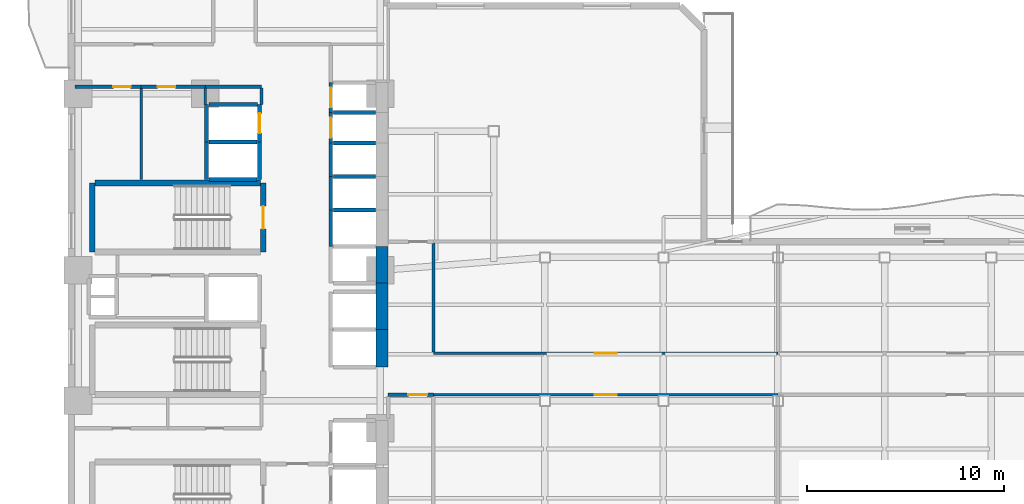
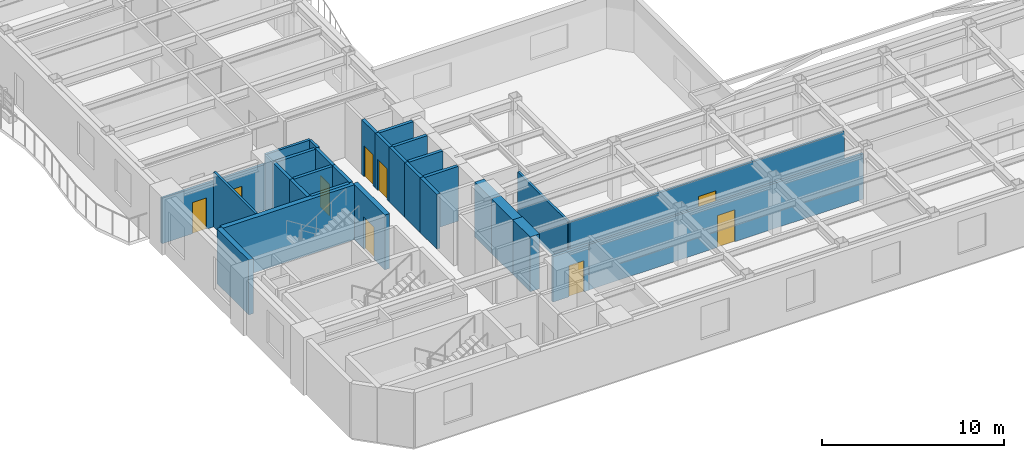
# One storey, part 4 of 10: 32 walls, 9 doors, 9 openings.
"""IFC4 building model written with IfcOpenShell, lengths in metres."""

from ifc_helpers import new_model, si_unit, direction, frame, frame_2d, origin, place, context, subcontext, project, spatial, rectangle, extrude, material, layer, layer_set, type_object, element, fill, save


model = new_model("IFC4")

# Units and contexts
model_context = context("Model", 3, precision=1e-05, world=origin(), true_north=direction((0.0, 1.0)))
body_context = subcontext(model_context, "Body", "Model", "MODEL_VIEW")
ifc_project = project(units=[si_unit("LENGTHUNIT", "METRE"), si_unit("AREAUNIT", "SQUARE_METRE"), si_unit("VOLUMEUNIT", "CUBIC_METRE"), si_unit("PLANEANGLEUNIT", "RADIAN"), si_unit("MASSUNIT", "GRAM", prefix="KILO")], contexts=[model_context])

# Site, building, storey
site_placement = place(None, origin())
site = spatial("IfcSite", under=ifc_project, at=site_placement, CompositionType="ELEMENT")
building_placement = place(site_placement, origin())
building = spatial("IfcBuilding", under=site, at=building_placement, Name="Mawjaban Terraces University", CompositionType="ELEMENT")
storey_placement = place(building_placement, frame((0.0, 0.0, 42.699951171875)))
storey = spatial("IfcBuildingStorey", under=building, at=storey_placement, Name="L09", CompositionType="ELEMENT", Elevation=42.699951171875)

# Wall, opening, door
ifc_material_1 = material(Name="Acoustic masonry blockwork", Category="masonry")
ifc_layer_1 = layer(ifc_material_1, 0.179931640625)
ifc_layer_set_1 = layer_set([ifc_layer_1], Name="Acoustic masonry blockwork")
wall_type_1 = type_object("IfcWallType", Name="AcousticStudioWall_180", PredefinedType="PARTITIONING", material=ifc_layer_set_1)
wall_1_placement = place(storey_placement, frame((38.050048828125, 8.25, 0.0), z_axis=(0.0, 0.0, 1.0), x_axis=(1.0, 0.0, 0.0)))
wall_1 = element("IfcWall", 1, at=wall_1_placement, inside=storey, type_object=wall_type_1, Name="L09 East Academic Corridor Vestibule Partition 19", PredefinedType="PARTITIONING", context=body_context, shape_type="SweptSolid", body=[
    extrude(rectangle(XDim=2.300048828125, YDim=0.179931640625, at=frame_2d((1.14990234375, 0.0))), origin(), (0.0, 0.0, 1.0), 3.054931640625),
])
opening_1_placement = place(wall_1_placement, frame((1.02490234375, 0.0, 0.0)))
opening_1 = element("IfcOpeningElement", 2, at=opening_1_placement, cuts=wall_1, Name="Opening ID-095", PredefinedType="OPENING", context=body_context, shape_type="SweptSolid", body=[
    extrude(rectangle(XDim=0.949951171875, YDim=2.10009765625, at=frame_2d((0.47509765625, 1.050048828125))), frame((0.0, 0.099853515625, 0.0), z_axis=(0.0, -1.0, 0.0), x_axis=(1.0, 0.0, 0.0)), (0.0, 0.0, 1.0), 0.199951171875),
])
ifc_material_2 = material(Name="Powder-coated steel frame and solid acoustic timber leaf", Category="steel")
door_type_1 = type_object("IfcDoorType", Name="StudioDoor_950x2100", OperationType="NOTDEFINED", PredefinedType="DOOR", material=ifc_material_2)
door_1_placement = place(opening_1_placement, origin())
door_1 = element("IfcDoor", 3, at=door_1_placement, inside=storey, type_object=door_type_1, Name="L09 Design Studio 1 Door", OperationType="SINGLE_SWING_LEFT", OverallHeight=2.10009765625, OverallWidth=0.949951171875, PredefinedType="DOOR", context=body_context, shape_type="SweptSolid", body=[
    extrude(rectangle(XDim=0.949951171875, YDim=2.10009765625, at=frame_2d((0.47509765625, 1.050048828125))), frame((0.0, 0.02490234375, 0.0), z_axis=(0.0, -1.0, 0.0), x_axis=(1.0, 0.0, 0.0)), (0.0, 0.0, 1.0), 0.050048828125),
])
fill(opening_1, door_1)

# Walls
ifc_material_3 = material(Name="Concrete C70/85", Category="concrete")
ifc_layer_2 = layer(ifc_material_3, 0.60009765625)
ifc_layer_set_2 = layer_set([ifc_layer_2], Name="Concrete C70/85")
wall_type_2 = type_object("IfcWallType", Name="CoreShearWall_600", PredefinedType="SHEAR", material=ifc_layer_set_2)
wall_2_placement = place(storey_placement, frame((37.75, 9.64990234375, 0.0), z_axis=(0.0, 0.0, 1.0), x_axis=(0.0, 1.0, 0.0)))
element("IfcWall", 4, at=wall_2_placement, inside=storey, type_object=wall_type_2, Name="L09 Lift PL-H1 Hoistway Wall East", PredefinedType="SHEAR", context=body_context, shape_type="SweptSolid", body=[
    extrude(rectangle(XDim=1.900146484375, YDim=0.60009765625, at=frame_2d((0.9501953125, 0.0))), origin(), (0.0, 0.0, 1.0), 3.68994140625),
])
wall_3_placement = place(storey_placement, frame((37.75, 11.550048828125, 0.0), z_axis=(0.0, 0.0, 1.0), x_axis=(0.0, 1.0, 0.0)))
element("IfcWall", 5, at=wall_3_placement, inside=storey, type_object=wall_type_2, Name="L09 Lift PL-H2 Hoistway Wall East", PredefinedType="SHEAR", context=body_context, shape_type="SweptSolid", body=[
    extrude(rectangle(XDim=2.349853515625, YDim=0.60009765625, at=frame_2d((1.1748046875, 0.0))), origin(), (0.0, 0.0, 1.0), 3.68994140625),
])
wall_4_placement = place(storey_placement, frame((37.75, 13.89990234375, 0.0), z_axis=(0.0, 0.0, 1.0), x_axis=(0.0, 1.0, 0.0)))
element("IfcWall", 6, at=wall_4_placement, inside=storey, type_object=wall_type_2, Name="L09 Lift OL-1 Hoistway Wall East", PredefinedType="SHEAR", context=body_context, shape_type="SweptSolid", body=[
    extrude(rectangle(XDim=1.85009765625, YDim=0.60009765625, at=frame_2d((0.925048828125, 0.0))), origin(), (0.0, 0.0, 1.0), 3.68994140625),
])

# Wall, opening, door
ifc_material_4 = material(Name="Fire-rated gypsum board on steel stud", Category="steel")
ifc_layer_3 = layer(ifc_material_4, 0.159912109375)
ifc_layer_set_3 = layer_set([ifc_layer_3], Name="Fire-rated gypsum board on steel stud")
wall_type_3 = type_object("IfcWallType", Name="CorridorPartition_160", PredefinedType="PARTITIONING", material=ifc_layer_set_3)
wall_5_placement = place(storey_placement, frame((25.550048828125, 23.85009765625, 0.0), z_axis=(0.0, 0.0, 1.0), x_axis=(-1.0, 0.0, 0.0)))
wall_5 = element("IfcWall", 7, at=wall_5_placement, inside=storey, type_object=wall_type_3, Name="L09 Female Toilet Partition 3", PredefinedType="PARTITIONING", context=body_context, shape_type="SweptSolid", body=[
    extrude(rectangle(XDim=3.35009765625, YDim=0.159912109375, at=frame_2d((1.675048828125, 0.0))), origin(), (0.0, 0.0, 1.0), 3.054931640625),
])
opening_2_placement = place(wall_5_placement, frame((0.534912109375, 0.0, 0.0)))
opening_2 = element("IfcOpeningElement", 8, at=opening_2_placement, cuts=wall_5, Name="Opening ID-088", PredefinedType="OPENING", context=body_context, shape_type="SweptSolid", body=[
    extrude(rectangle(XDim=0.8798828125, YDim=2.10009765625, at=frame_2d((0.43994140625, 1.050048828125))), frame((0.0, 0.08984375, 0.0), z_axis=(0.0, -1.0, 0.0), x_axis=(1.0, 0.0, 0.0)), (0.0, 0.0, 1.0), 0.179931640625),
])
door_type_2 = type_object("IfcDoorType", Name="ToiletDoor_880x2100", OperationType="NOTDEFINED", PredefinedType="DOOR", material=ifc_material_2)
door_2_placement = place(opening_2_placement, origin())
door_2 = element("IfcDoor", 9, at=door_2_placement, inside=storey, type_object=door_type_2, Name="L09 Female Toilet Door", OperationType="SINGLE_SWING_LEFT", OverallHeight=2.10009765625, OverallWidth=0.8798828125, PredefinedType="DOOR", context=body_context, shape_type="SweptSolid", body=[
    extrude(rectangle(XDim=0.8798828125, YDim=2.10009765625, at=frame_2d((0.43994140625, 1.050048828125))), frame((0.0, 0.02490234375, 0.0), z_axis=(0.0, -1.0, 0.0), x_axis=(1.0, 0.0, 0.0)), (0.0, 0.0, 1.0), 0.050048828125),
])
fill(opening_2, door_2)

wall_6_placement = place(storey_placement, frame((28.800048828125, 23.85009765625, 0.0), z_axis=(0.0, 0.0, 1.0), x_axis=(-1.0, 0.0, 0.0)))
wall_6 = element("IfcWall", 10, at=wall_6_placement, inside=storey, type_object=wall_type_3, Name="L09 Staff Tea Pantry Partition 5", PredefinedType="PARTITIONING", context=body_context, shape_type="SweptSolid", body=[
    extrude(rectangle(XDim=3.25, YDim=0.159912109375, at=frame_2d((1.625, 0.0))), origin(), (0.0, 0.0, 1.0), 3.054931640625),
])
opening_3_placement = place(wall_6_placement, frame((1.52490234375, 0.0, 0.0)))
opening_3 = element("IfcOpeningElement", 11, at=opening_3_placement, cuts=wall_6, Name="Opening ID-090", PredefinedType="OPENING", context=body_context, shape_type="SweptSolid", body=[
    extrude(rectangle(XDim=0.89990234375, YDim=2.10009765625, at=frame_2d((0.449951171875, 1.050048828125))), frame((0.0, 0.08984375, 0.0), z_axis=(0.0, -1.0, 0.0), x_axis=(1.0, 0.0, 0.0)), (0.0, 0.0, 1.0), 0.179931640625),
])
door_type_3 = type_object("IfcDoorType", Name="OfficeDoor_900x2100", OperationType="NOTDEFINED", PredefinedType="DOOR", material=ifc_material_2)
door_3_placement = place(opening_3_placement, origin())
door_3 = element("IfcDoor", 12, at=door_3_placement, inside=storey, type_object=door_type_3, Name="L09 Staff Tea Pantry Door", OperationType="SINGLE_SWING_RIGHT", OverallHeight=2.10009765625, OverallWidth=0.89990234375, PredefinedType="DOOR", context=body_context, shape_type="SweptSolid", body=[
    extrude(rectangle(XDim=0.89990234375, YDim=2.10009765625, at=frame_2d((0.449951171875, 1.050048828125))), frame((0.0, 0.02490234375, 0.0), z_axis=(0.0, -1.0, 0.0), x_axis=(1.0, 0.0, 0.0)), (0.0, 0.0, 1.0), 0.050048828125),
])
fill(opening_3, door_3)

# Walls
wall_7_placement = place(storey_placement, frame((28.800048828125, 23.85009765625, 0.0), z_axis=(0.0, 0.0, 1.0), x_axis=(1.0, 0.0, 0.0)))
element("IfcWall", 13, at=wall_7_placement, inside=storey, type_object=wall_type_3, Name="L09 North Core Cross-Corridor Partition 6", PredefinedType="PARTITIONING", context=body_context, shape_type="SweptSolid", body=[
    extrude(rectangle(XDim=2.849853515625, YDim=0.159912109375, at=frame_2d((1.4248046875, 0.0))), origin(), (0.0, 0.0, 1.0), 3.68994140625),
])
wall_8_placement = place(storey_placement, frame((31.64990234375, 23.77490234375, 0.0), z_axis=(0.0, 0.0, 1.0), x_axis=(0.0, -1.0, 0.0)))
element("IfcWall", 14, at=wall_8_placement, inside=storey, type_object=wall_type_3, Name="L09 Passenger Lift Lobby Partition 39", PredefinedType="PARTITIONING", context=body_context, shape_type="SweptSolid", body=[
    extrude(rectangle(XDim=0.824951171875, YDim=0.159912109375, at=frame_2d((0.41259765625, 0.0))), origin(), (0.0, 0.0, 1.0), 3.68994140625),
])
ifc_material_5 = material(Name="Concrete C40/50", Category="concrete")
ifc_layer_4 = layer(ifc_material_5, 0.199951171875)
ifc_layer_set_4 = layer_set([ifc_layer_4], Name="Concrete C40/50")
wall_type_4 = type_object("IfcWallType", Name="FireLobbyWall_200", PredefinedType="SOLIDWALL", material=ifc_layer_set_4)
wall_9_placement = place(storey_placement, frame((35.14990234375, 17.60009765625, 0.0), z_axis=(0.0, 0.0, 1.0), x_axis=(0.0, -1.0, 0.0)))
element("IfcWall", 15, at=wall_9_placement, inside=storey, type_object=wall_type_4, Name="L09 Lift OL-2 Hoistway Wall West", PredefinedType="SOLIDWALL", context=body_context, shape_type="SweptSolid", body=[
    extrude(rectangle(XDim=1.85009765625, YDim=0.199951171875, at=frame_2d((0.925048828125, 0.0))), origin(), (0.0, 0.0, 1.0), 3.68994140625),
])
wall_10_placement = place(storey_placement, frame((37.419921875, 17.60009765625, 0.0), z_axis=(0.0, 0.0, 1.0), x_axis=(-1.0, 0.0, 0.0)))
element("IfcWall", 16, at=wall_10_placement, inside=storey, type_object=wall_type_4, Name="L09 Lift OL-2 Hoistway Wall North", PredefinedType="SOLIDWALL", context=body_context, shape_type="SweptSolid", body=[
    extrude(rectangle(XDim=2.139892578125, YDim=0.199951171875, at=frame_2d((1.06982421875, 0.0))), origin(), (0.0, 0.0, 1.0), 3.68994140625),
])
wall_11_placement = place(storey_placement, frame((35.14990234375, 19.300048828125, 0.0), z_axis=(0.0, 0.0, 1.0), x_axis=(0.0, -1.0, 0.0)))
element("IfcWall", 17, at=wall_11_placement, inside=storey, type_object=wall_type_4, Name="L09 Lift PL-M1 Hoistway Wall West", PredefinedType="SOLIDWALL", context=body_context, shape_type="SweptSolid", body=[
    extrude(rectangle(XDim=1.699951171875, YDim=0.199951171875, at=frame_2d((0.85009765625, 0.0))), origin(), (0.0, 0.0, 1.0), 3.68994140625),
])
wall_12_placement = place(storey_placement, frame((37.419921875, 19.300048828125, 0.0), z_axis=(0.0, 0.0, 1.0), x_axis=(-1.0, 0.0, 0.0)))
element("IfcWall", 18, at=wall_12_placement, inside=storey, type_object=wall_type_4, Name="L09 Lift PL-M1 Hoistway Wall North", PredefinedType="SOLIDWALL", context=body_context, shape_type="SweptSolid", body=[
    extrude(rectangle(XDim=2.139892578125, YDim=0.199951171875, at=frame_2d((1.06982421875, 0.0))), origin(), (0.0, 0.0, 1.0), 3.68994140625),
])
wall_13_placement = place(storey_placement, frame((35.14990234375, 21.0, 0.0), z_axis=(0.0, 0.0, 1.0), x_axis=(0.0, -1.0, 0.0)))
element("IfcWall", 19, at=wall_13_placement, inside=storey, type_object=wall_type_4, Name="L09 Lift PL-M2 Hoistway Wall West", PredefinedType="SOLIDWALL", context=body_context, shape_type="SweptSolid", body=[
    extrude(rectangle(XDim=1.699951171875, YDim=0.199951171875, at=frame_2d((0.85009765625, 0.0))), origin(), (0.0, 0.0, 1.0), 3.68994140625),
])
wall_14_placement = place(storey_placement, frame((37.419921875, 21.0, 0.0), z_axis=(0.0, 0.0, 1.0), x_axis=(-1.0, 0.0, 0.0)))
element("IfcWall", 20, at=wall_14_placement, inside=storey, type_object=wall_type_4, Name="L09 Lift PL-M2 Hoistway Wall North", PredefinedType="SOLIDWALL", context=body_context, shape_type="SweptSolid", body=[
    extrude(rectangle(XDim=2.139892578125, YDim=0.199951171875, at=frame_2d((1.06982421875, 0.0))), origin(), (0.0, 0.0, 1.0), 3.68994140625),
])
for number, where, z_axis, x_axis, name in (
    (21, (28.85009765625, 21.050048828125, 0.0), (0.0, 0.0, 1.0), (0.0, -1.0, 0.0), "L09 Lift PL-M3 Hoistway Wall West"),
    (22, (31.550048828125, 19.14990234375, 0.0), (0.0, 0.0, 1.0), (0.0, 1.0, 0.0), "L09 Lift PL-M3 Hoistway Wall East"),
):
    element("IfcWall", number, at=place(storey_placement, frame(where, z_axis=z_axis, x_axis=x_axis)), inside=storey, type_object=wall_type_4, Name=name, PredefinedType="SOLIDWALL", context=body_context, shape_type="SweptSolid", body=[
        extrude(rectangle(XDim=1.900146484375, YDim=0.199951171875, at=frame_2d((0.9501953125, 0.0))), origin(), (0.0, 0.0, 1.0), 3.68994140625),
    ])
for number, where, z_axis, x_axis, name in (
    (23, (28.97998046875, 19.14990234375, 0.0), (0.0, 0.0, 1.0), (1.0, 0.0, 0.0), "L09 Lift PL-M3 Hoistway Wall South"),
    (24, (31.419921875, 21.050048828125, 0.0), (0.0, 0.0, 1.0), (-1.0, 0.0, 0.0), "L09 Lift PL-M3 Hoistway Wall North"),
):
    element("IfcWall", number, at=place(storey_placement, frame(where, z_axis=z_axis, x_axis=x_axis)), inside=storey, type_object=wall_type_4, Name=name, PredefinedType="SOLIDWALL", context=body_context, shape_type="SweptSolid", body=[
        extrude(rectangle(XDim=2.43994140625, YDim=0.199951171875, at=frame_2d((1.219970703125, 0.0))), origin(), (0.0, 0.0, 1.0), 3.68994140625),
    ])

# Wall, opening, door
wall_15_placement = place(storey_placement, frame((35.14990234375, 22.550048828125, 0.0), z_axis=(0.0, 0.0, 1.0), x_axis=(0.0, -1.0, 0.0)))
wall_15 = element("IfcWall", 25, at=wall_15_placement, inside=storey, type_object=wall_type_4, Name="L09 Lift PL-L1 Hoistway Wall West", PredefinedType="SOLIDWALL", context=body_context, shape_type="SweptSolid", body=[
    extrude(rectangle(XDim=1.550048828125, YDim=0.199951171875, at=frame_2d((0.77490234375, 0.0))), origin(), (0.0, 0.0, 1.0), 3.68994140625),
])
opening_4_placement = place(wall_15_placement, frame((0.27490234375, 0.0, 0.0)))
opening_4 = element("IfcOpeningElement", 26, at=opening_4_placement, cuts=wall_15, Name="Opening LD-PL-L1", PredefinedType="OPENING", context=body_context, shape_type="SweptSolid", body=[
    extrude(rectangle(XDim=1.0, YDim=2.10009765625, at=frame_2d((0.5, 1.050048828125))), frame((0.0, 0.10986328125, 0.0), z_axis=(0.0, -1.0, 0.0), x_axis=(1.0, 0.0, 0.0)), (0.0, 0.0, 1.0), 0.219970703125),
])
ifc_material_6 = material(Name="Powder-coated steel frame and fire-rated steel-faced leaf", Category="steel")
door_type_4 = type_object("IfcDoorType", Name="LiftLandingSliding_1000x2100", OperationType="NOTDEFINED", PredefinedType="DOOR", material=ifc_material_6)
door_4_placement = place(opening_4_placement, origin())
door_4 = element("IfcDoor", 27, at=door_4_placement, inside=storey, type_object=door_type_4, Name="L09 Lift PL-L1 Sliding Landing Door", OperationType="DOUBLE_DOOR_SLIDING", OverallHeight=2.10009765625, OverallWidth=1.0, PredefinedType="DOOR", context=body_context, shape_type="SweptSolid", body=[
    extrude(rectangle(XDim=1.0, YDim=2.10009765625, at=frame_2d((0.5, 1.050048828125))), frame((0.0, 0.02490234375, 0.0), z_axis=(0.0, -1.0, 0.0), x_axis=(1.0, 0.0, 0.0)), (0.0, 0.0, 1.0), 0.050048828125),
])
fill(opening_4, door_4)

# Wall
wall_16_placement = place(storey_placement, frame((37.419921875, 22.550048828125, 0.0), z_axis=(0.0, 0.0, 1.0), x_axis=(-1.0, 0.0, 0.0)))
element("IfcWall", 28, at=wall_16_placement, inside=storey, type_object=wall_type_4, Name="L09 Lift PL-L1 Hoistway Wall North", PredefinedType="SOLIDWALL", context=body_context, shape_type="SweptSolid", body=[
    extrude(rectangle(XDim=2.139892578125, YDim=0.199951171875, at=frame_2d((1.06982421875, 0.0))), origin(), (0.0, 0.0, 1.0), 3.68994140625),
])

# Wall, opening, door
wall_17_placement = place(storey_placement, frame((35.14990234375, 24.050048828125, 0.0), z_axis=(0.0, 0.0, 1.0), x_axis=(0.0, -1.0, 0.0)))
wall_17 = element("IfcWall", 29, at=wall_17_placement, inside=storey, type_object=wall_type_4, Name="L09 Lift PL-L2 Hoistway Wall West", PredefinedType="SOLIDWALL", context=body_context, shape_type="SweptSolid", body=[
    extrude(rectangle(XDim=1.5, YDim=0.199951171875, at=frame_2d((0.75, 0.0))), origin(), (0.0, 0.0, 1.0), 3.68994140625),
])
opening_5_placement = place(wall_17_placement, frame((0.25, 0.0, 0.0)))
opening_5 = element("IfcOpeningElement", 30, at=opening_5_placement, cuts=wall_17, Name="Opening LD-PL-L2", PredefinedType="OPENING", context=body_context, shape_type="SweptSolid", body=[
    extrude(rectangle(XDim=1.0, YDim=2.10009765625, at=frame_2d((0.5, 1.050048828125))), frame((0.0, 0.10986328125, 0.0), z_axis=(0.0, -1.0, 0.0), x_axis=(1.0, 0.0, 0.0)), (0.0, 0.0, 1.0), 0.219970703125),
])
door_5_placement = place(opening_5_placement, origin())
door_5 = element("IfcDoor", 31, at=door_5_placement, inside=storey, type_object=door_type_4, Name="L09 Lift PL-L2 Sliding Landing Door", OperationType="DOUBLE_DOOR_SLIDING", OverallHeight=2.10009765625, OverallWidth=1.0, PredefinedType="DOOR", context=body_context, shape_type="SweptSolid", body=[
    extrude(rectangle(XDim=1.0, YDim=2.10009765625, at=frame_2d((0.5, 1.050048828125))), frame((0.0, 0.02490234375, 0.0), z_axis=(0.0, -1.0, 0.0), x_axis=(1.0, 0.0, 0.0)), (0.0, 0.0, 1.0), 0.050048828125),
])
fill(opening_5, door_5)

# Wall
wall_18_placement = place(storey_placement, frame((28.85009765625, 22.949951171875, 0.0), z_axis=(0.0, 0.0, 1.0), x_axis=(0.0, -1.0, 0.0)))
element("IfcWall", 32, at=wall_18_placement, inside=storey, type_object=wall_type_4, Name="L09 Lift PL-L3 Hoistway Wall West", PredefinedType="SOLIDWALL", context=body_context, shape_type="SweptSolid", body=[
    extrude(rectangle(XDim=1.89990234375, YDim=0.199951171875, at=frame_2d((0.949951171875, 0.0))), origin(), (0.0, 0.0, 1.0), 3.68994140625),
])

# Wall, opening, door
wall_19_placement = place(storey_placement, frame((31.550048828125, 21.050048828125, 0.0), z_axis=(0.0, 0.0, 1.0), x_axis=(0.0, 1.0, 0.0)))
wall_19 = element("IfcWall", 33, at=wall_19_placement, inside=storey, type_object=wall_type_4, Name="L09 Lift PL-L3 Hoistway Wall East", PredefinedType="SOLIDWALL", context=body_context, shape_type="SweptSolid", body=[
    extrude(rectangle(XDim=1.89990234375, YDim=0.199951171875, at=frame_2d((0.949951171875, 0.0))), origin(), (0.0, 0.0, 1.0), 3.68994140625),
])
opening_6_placement = place(wall_19_placement, frame((0.449951171875, 0.0, 0.0)))
opening_6 = element("IfcOpeningElement", 34, at=opening_6_placement, cuts=wall_19, Name="Opening LD-PL-L3", PredefinedType="OPENING", context=body_context, shape_type="SweptSolid", body=[
    extrude(rectangle(XDim=1.0, YDim=2.10009765625, at=frame_2d((0.5, 1.050048828125))), frame((0.0, 0.10986328125, 0.0), z_axis=(0.0, -1.0, 0.0), x_axis=(1.0, 0.0, 0.0)), (0.0, 0.0, 1.0), 0.219970703125),
])
door_6_placement = place(opening_6_placement, origin())
door_6 = element("IfcDoor", 35, at=door_6_placement, inside=storey, type_object=door_type_4, Name="L09 Lift PL-L3 Sliding Landing Door", OperationType="DOUBLE_DOOR_SLIDING", OverallHeight=2.10009765625, OverallWidth=1.0, PredefinedType="DOOR", context=body_context, shape_type="SweptSolid", body=[
    extrude(rectangle(XDim=1.0, YDim=2.10009765625, at=frame_2d((0.5, 1.050048828125))), frame((0.0, 0.02490234375, 0.0), z_axis=(0.0, -1.0, 0.0), x_axis=(1.0, 0.0, 0.0)), (0.0, 0.0, 1.0), 0.050048828125),
])
fill(opening_6, door_6)

# Wall
wall_20_placement = place(storey_placement, frame((31.429931640625, 22.949951171875, 0.0), z_axis=(0.0, 0.0, 1.0), x_axis=(-1.0, 0.0, 0.0)))
element("IfcWall", 36, at=wall_20_placement, inside=storey, type_object=wall_type_4, Name="L09 Lift PL-L3 Hoistway Wall North", PredefinedType="SOLIDWALL", context=body_context, shape_type="SweptSolid", body=[
    extrude(rectangle(XDim=2.4599609375, YDim=0.199951171875, at=frame_2d((1.22998046875, 0.0))), origin(), (0.0, 0.0, 1.0), 3.68994140625),
])

# Wall, opening, door
ifc_material_7 = material(Name="Moisture-resistant gypsum board on steel stud", Category="steel")
ifc_layer_5 = layer(ifc_material_7, 0.14501953125)
ifc_layer_set_5 = layer_set([ifc_layer_5], Name="Moisture-resistant gypsum board on steel stud")
wall_type_5 = type_object("IfcWallType", Name="LabPartition_145", PredefinedType="PARTITIONING", material=ifc_layer_set_5)
wall_21_placement = place(storey_placement, frame((40.35009765625, 8.25, 0.0), z_axis=(0.0, 0.0, 1.0), x_axis=(1.0, 0.0, 0.0)))
wall_21 = element("IfcWall", 37, at=wall_21_placement, inside=storey, type_object=wall_type_5, Name="L09 East Academic Spine Corridor Partition 20", PredefinedType="PARTITIONING", context=body_context, shape_type="SweptSolid", body=[
    extrude(rectangle(XDim=17.449951171875, YDim=0.14501953125, at=frame_2d((8.72509765625, 0.0))), origin(), (0.0, 0.0, 1.0), 3.054931640625),
])
opening_7_placement = place(wall_21_placement, frame((8.175048828125, 0.0, 0.0)))
opening_7 = element("IfcOpeningElement", 38, at=opening_7_placement, cuts=wall_21, Name="Opening ID-110", PredefinedType="OPENING", context=body_context, shape_type="SweptSolid", body=[
    extrude(rectangle(XDim=1.10009765625, YDim=2.14990234375, at=frame_2d((0.550048828125, 1.074951171875))), frame((0.0, 0.08251953125, 0.0), z_axis=(0.0, -1.0, 0.0), x_axis=(1.0, 0.0, 0.0)), (0.0, 0.0, 1.0), 0.1650390625),
])
door_type_5 = type_object("IfcDoorType", Name="LabDoor_1100x2150", OperationType="NOTDEFINED", PredefinedType="DOOR", material=ifc_material_2)
door_7_placement = place(opening_7_placement, origin())
door_7 = element("IfcDoor", 39, at=door_7_placement, inside=storey, type_object=door_type_5, Name="L09 Computational Laboratory 2 Door", OperationType="SINGLE_SWING_RIGHT", OverallHeight=2.14990234375, OverallWidth=1.10009765625, PredefinedType="DOOR", context=body_context, shape_type="SweptSolid", body=[
    extrude(rectangle(XDim=1.10009765625, YDim=2.14990234375, at=frame_2d((0.550048828125, 1.074951171875))), frame((0.0, 0.02490234375, 0.0), z_axis=(0.0, -1.0, 0.0), x_axis=(1.0, 0.0, 0.0)), (0.0, 0.0, 1.0), 0.050048828125),
])
fill(opening_7, door_7)

wall_22_placement = place(storey_placement, frame((57.800048828125, 10.35009765625, 0.0), z_axis=(0.0, 0.0, 1.0), x_axis=(-1.0, 0.0, 0.0)))
wall_22 = element("IfcWall", 40, at=wall_22_placement, inside=storey, type_object=wall_type_5, Name="L09 East Academic Spine Corridor Partition 24", PredefinedType="PARTITIONING", context=body_context, shape_type="SweptSolid", body=[
    extrude(rectangle(XDim=17.449951171875, YDim=0.14501953125, at=frame_2d((8.72509765625, 0.0))), origin(), (0.0, 0.0, 1.0), 3.277099609375),
])
opening_8_placement = place(wall_22_placement, frame((8.175048828125, 0.0, 0.0)))
opening_8 = element("IfcOpeningElement", 41, at=opening_8_placement, cuts=wall_22, Name="Opening ID-110", PredefinedType="OPENING", context=body_context, shape_type="SweptSolid", body=[
    extrude(rectangle(XDim=1.10009765625, YDim=2.14990234375, at=frame_2d((0.550048828125, 1.074951171875))), frame((0.0, 0.08251953125, 0.0), z_axis=(0.0, -1.0, 0.0), x_axis=(1.0, 0.0, 0.0)), (0.0, 0.0, 1.0), 0.1650390625),
])
door_8_placement = place(opening_8_placement, origin())
door_8 = element("IfcDoor", 42, at=door_8_placement, inside=storey, type_object=door_type_5, Name="L09 Teaching Laboratory 3 Door", OperationType="SINGLE_SWING_LEFT", OverallHeight=2.14990234375, OverallWidth=1.10009765625, PredefinedType="DOOR", context=body_context, shape_type="SweptSolid", body=[
    extrude(rectangle(XDim=1.10009765625, YDim=2.14990234375, at=frame_2d((0.550048828125, 1.074951171875))), frame((0.0, 0.02490234375, 0.0), z_axis=(0.0, -1.0, 0.0), x_axis=(1.0, 0.0, 0.0)), (0.0, 0.0, 1.0), 0.050048828125),
])
fill(opening_8, door_8)

# Walls
wall_23_placement = place(storey_placement, frame((40.35009765625, 10.41796875, 0.0), z_axis=(0.0, 0.0, 1.0), x_axis=(0.0, 1.0, 0.0)))
element("IfcWall", 43, at=wall_23_placement, inside=storey, type_object=wall_type_5, Name="L09 East Academic Corridor Vestibule Partition 44", PredefinedType="PARTITIONING", context=body_context, shape_type="SweptSolid", body=[
    extrude(rectangle(XDim=5.507080078125, YDim=0.14501953125, at=frame_2d((2.75341796875, 0.0))), origin(), (0.0, 0.0, 1.0), 3.277099609375),
])
ifc_material_8 = material(Name="Gypsum plasterboard on steel stud", Category="steel")
ifc_layer_6 = layer(ifc_material_8, 0.125)
ifc_layer_set_6 = layer_set([ifc_layer_6], Name="Gypsum plasterboard on steel stud")
wall_type_6 = type_object("IfcWallType", Name="OfficePartition_125", PredefinedType="PARTITIONING", material=ifc_layer_set_6)
wall_24_placement = place(storey_placement, frame((28.800048828125, 22.949951171875, 0.0), z_axis=(0.0, 0.0, 1.0), x_axis=(0.0, 1.0, 0.0)))
element("IfcWall", 44, at=wall_24_placement, inside=storey, type_object=wall_type_6, Name="L09 Staff Tea Pantry Partition 29", PredefinedType="PARTITIONING", context=body_context, shape_type="SweptSolid", body=[
    extrude(rectangle(XDim=0.824951171875, YDim=0.125, at=frame_2d((0.41259765625, 0.0))), origin(), (0.0, 0.0, 1.0), 3.68994140625),
])
ifc_material_9 = material(Name="Concrete C60/75", Category="concrete")
ifc_layer_7 = layer(ifc_material_9, 0.300048828125)
ifc_layer_set_7 = layer_set([ifc_layer_7], Name="Concrete C60/75")
wall_type_7 = type_object("IfcWallType", Name="StairShaftWall_300", PredefinedType="SHEAR", material=ifc_layer_set_7)
wall_25_placement = place(storey_placement, frame((31.580078125, 18.97998046875, 0.0), z_axis=(0.0, 0.0, 1.0), x_axis=(-1.0, 0.0, 0.0)))
element("IfcWall", 45, at=wall_25_placement, inside=storey, type_object=wall_type_7, Name="L09 ST-2 Stair Shaft Wall 1", PredefinedType="SHEAR", context=body_context, shape_type="SweptSolid", body=[
    extrude(rectangle(XDim=8.360107421875, YDim=0.300048828125, at=frame_2d((4.18017578125, 0.0))), origin(), (0.0, 0.0, 1.0), 3.68994140625),
])
wall_26_placement = place(storey_placement, frame((23.070068359375, 18.97998046875, 0.0), z_axis=(0.0, 0.0, 1.0), x_axis=(0.0, -1.0, 0.0)))
element("IfcWall", 46, at=wall_26_placement, inside=storey, type_object=wall_type_7, Name="L09 ST-2 Stair Shaft Wall 2", PredefinedType="SHEAR", context=body_context, shape_type="SweptSolid", body=[
    extrude(rectangle(XDim=3.510009765625, YDim=0.300048828125, at=frame_2d((1.7548828125, 0.0))), origin(), (0.0, 0.0, 1.0), 3.68994140625),
])

# Wall, opening, door
wall_27_placement = place(storey_placement, frame((31.72998046875, 15.469970703125, 0.0), z_axis=(0.0, 0.0, 1.0), x_axis=(0.0, 1.0, 0.0)))
wall_27 = element("IfcWall", 47, at=wall_27_placement, inside=storey, type_object=wall_type_7, Name="L09 ST-2 Stair Shaft Wall 4", PredefinedType="SHEAR", context=body_context, shape_type="SweptSolid", body=[
    extrude(rectangle(XDim=3.510009765625, YDim=0.300048828125, at=frame_2d((1.7548828125, 0.0))), origin(), (0.0, 0.0, 1.0), 3.68994140625),
])
opening_9_placement = place(wall_27_placement, frame((1.179931640625, 0.0, 0.0)))
opening_9 = element("IfcOpeningElement", 48, at=opening_9_placement, cuts=wall_27, Name="Opening FD-115", PredefinedType="OPENING", context=body_context, shape_type="SweptSolid", body=[
    extrude(rectangle(XDim=1.14990234375, YDim=2.14990234375, at=frame_2d((0.574951171875, 1.074951171875))), frame((0.0, 0.159912109375, 0.0), z_axis=(0.0, -1.0, 0.0), x_axis=(1.0, 0.0, 0.0)), (0.0, 0.0, 1.0), 0.320068359375),
])
door_type_6 = type_object("IfcDoorType", Name="FireStairDoor_1150x2150", OperationType="NOTDEFINED", PredefinedType="DOOR", material=ifc_material_6)
door_9_placement = place(opening_9_placement, origin())
door_9 = element("IfcDoor", 49, at=door_9_placement, inside=storey, type_object=door_type_6, Name="L09 ST-2 Pressurised Stair Fire Door", OperationType="SINGLE_SWING_LEFT", OverallHeight=2.14990234375, OverallWidth=1.14990234375, PredefinedType="DOOR", context=body_context, shape_type="SweptSolid", body=[
    extrude(rectangle(XDim=1.14990234375, YDim=2.14990234375, at=frame_2d((0.574951171875, 1.074951171875))), frame((0.0, 0.02490234375, 0.0), z_axis=(0.0, -1.0, 0.0), x_axis=(1.0, 0.0, 0.0)), (0.0, 0.0, 1.0), 0.050048828125),
])
fill(opening_9, door_9)

# Wall
ifc_material_10 = material(Name="Cement-board wet-room partition", Category="masonry")
ifc_layer_8 = layer(ifc_material_10, 0.135009765625)
ifc_layer_set_8 = layer_set([ifc_layer_8], Name="Cement-board wet-room partition")
wall_type_8 = type_object("IfcWallType", Name="WetRoomPartition_135", PredefinedType="PARTITIONING", material=ifc_layer_set_8)
wall_28_placement = place(storey_placement, frame((25.550048828125, 19.159912109375, 0.0), z_axis=(0.0, 0.0, 1.0), x_axis=(0.0, 1.0, 0.0)))
element("IfcWall", 50, at=wall_28_placement, inside=storey, type_object=wall_type_8, Name="L09 Female Toilet Partition 27", PredefinedType="PARTITIONING", context=body_context, shape_type="SweptSolid", body=[
    extrude(rectangle(XDim=4.614990234375, YDim=0.135009765625, at=frame_2d((2.3076171875, 0.0))), origin(), (0.0, 0.0, 1.0), 3.68994140625),
])

save(model, "model.ifc")
